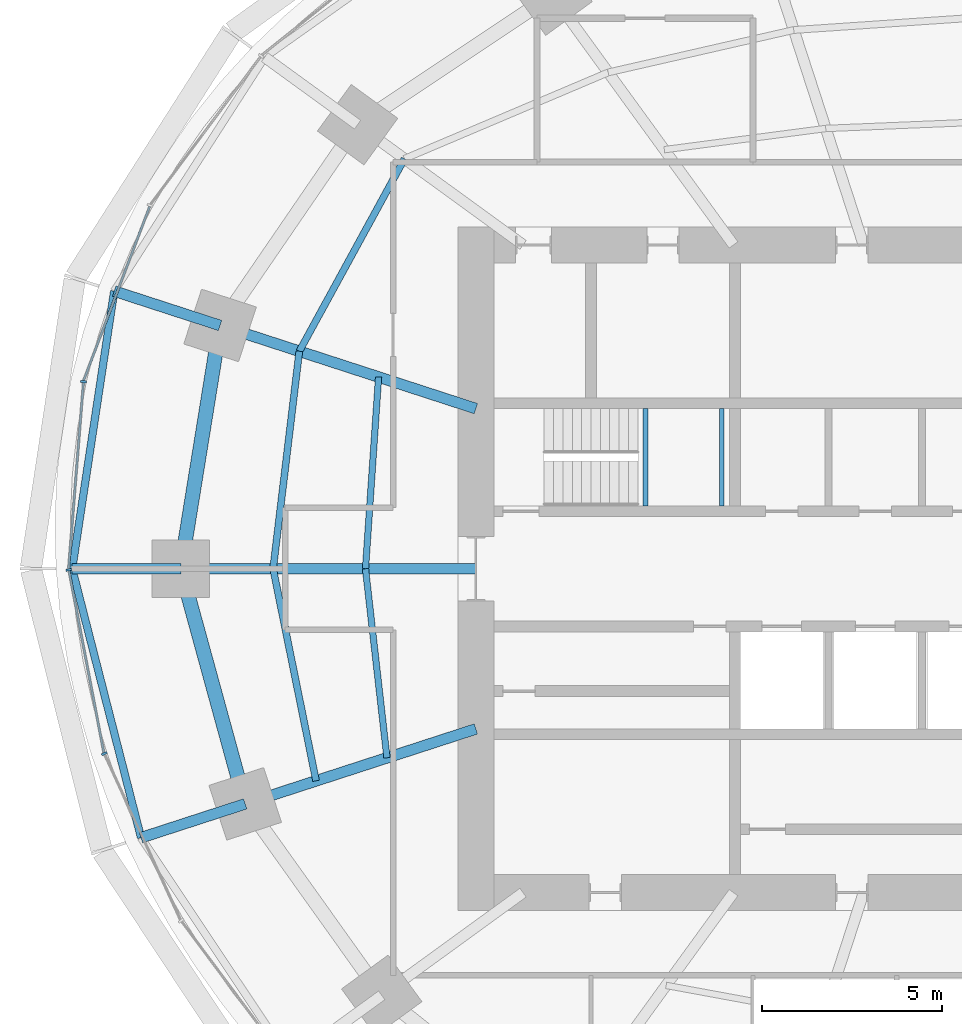
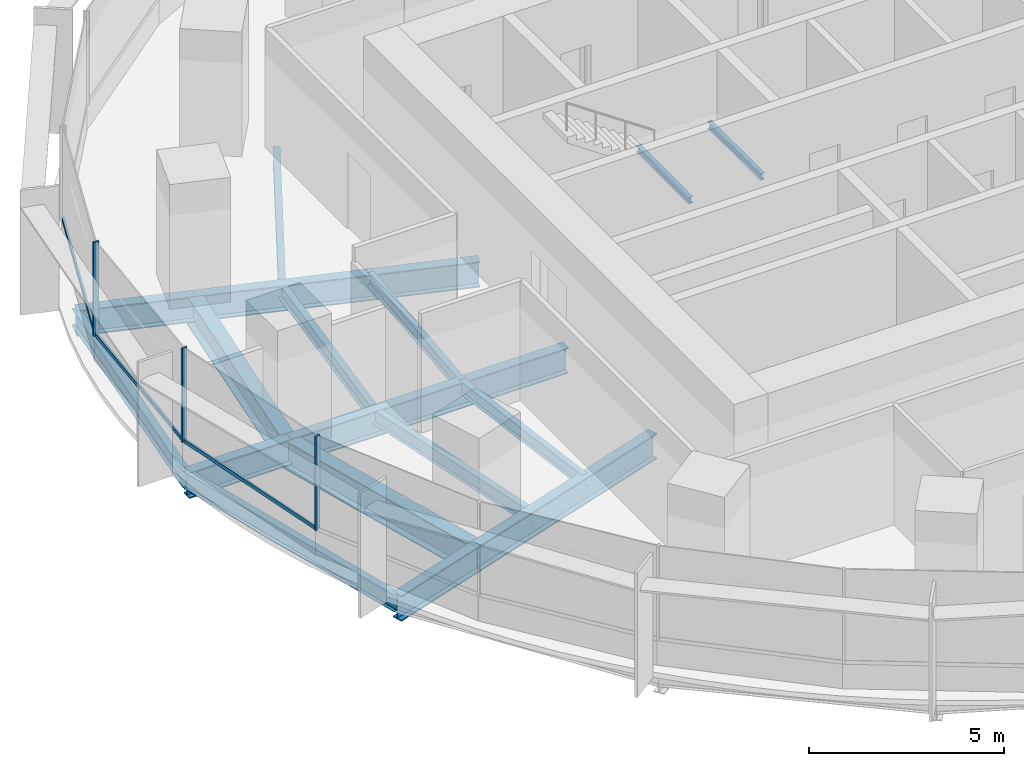
# One storey, part 4 of 14: 17 beams, 6 members, 2 elements without a shape of their own.
"""IFC4 building model written with IfcOpenShell, lengths in metres."""

from ifc_helpers import new_model, si_unit, direction, frame, origin, origin_2d, place, context, subcontext, project, spatial, rectangle, i_section, extrude, material, material_profile, profile_set, type_object, element, aggregate, save


model = new_model("IFC4")

# Units and contexts
model_context = context("Model", 3, precision=1e-05, world=origin(), true_north=direction((0.0, 1.0)))
body_context = subcontext(model_context, "Body", "Model", "MODEL_VIEW")
ifc_project = project(units=[si_unit("LENGTHUNIT", "METRE"), si_unit("AREAUNIT", "SQUARE_METRE"), si_unit("VOLUMEUNIT", "CUBIC_METRE"), si_unit("PLANEANGLEUNIT", "RADIAN"), si_unit("MASSUNIT", "GRAM", prefix="KILO")], contexts=[model_context])

# Site, building, storey
site_placement = place(None, origin())
site = spatial("IfcSite", under=ifc_project, at=site_placement, CompositionType="ELEMENT")
building_placement = place(site_placement, origin())
building = spatial("IfcBuilding", under=site, at=building_placement, Name="Marramba Exchange Tower", CompositionType="ELEMENT")
storey_placement = place(building_placement, frame((0.0, 0.0, 111.89990234375)))
storey = spatial("IfcBuildingStorey", under=building, at=storey_placement, Name="L26", CompositionType="ELEMENT", Elevation=111.89990234375)

# Beams
ifc_material_1 = material(Name="Steel AS/NZS 3679.2 grade 300", Category="steel")
ifc_material_profile_1 = material_profile(ifc_material_1, i_section(OverallWidth=0.300048828125, OverallDepth=0.800048828125, WebThickness=0.013916015625, FlangeThickness=0.031982421875, at=origin_2d()), Name="800WB192")
ifc_profile_set_1 = profile_set([ifc_material_profile_1], Name="Steel AS/NZS 3679.2 grade 300")
beam_type_1 = type_object("IfcBeamType", Name="Cantilever girder 800WB192", PredefinedType="BEAM", material=ifc_profile_set_1)
beam_1_placement = place(storey_placement, frame((-20.808349609375, 6.760986328125, -0.559814453125), z_axis=(-0.95104799017, 0.309043233858, 0.0), x_axis=(-0.309043233858, -0.95104799017, 0.0)))
element("IfcBeam", 1, at=beam_1_placement, inside=storey, type_object=beam_type_1, Name="Cantilever girder L26 TC10", PredefinedType="BEAM", context=body_context, shape_type="SweptSolid", body=[
    extrude(i_section(OverallWidth=0.300048828125, OverallDepth=0.800048828125, WebThickness=0.013916015625, FlangeThickness=0.031982421875, at=origin_2d()), origin(), (0.0, 0.0, 1.0), 3.0927734375),
])
beam_2_placement = place(storey_placement, frame((-21.89990234375, 0.0, -0.559814453125), z_axis=(-1.0, 0.0, 0.0), x_axis=(0.0, -1.0, 0.0)))
element("IfcBeam", 2, at=beam_2_placement, inside=storey, type_object=beam_type_1, Name="Cantilever girder L26 TC11", PredefinedType="BEAM", context=body_context, shape_type="SweptSolid", body=[
    extrude(i_section(OverallWidth=0.300048828125, OverallDepth=0.800048828125, WebThickness=0.013916015625, FlangeThickness=0.031982421875, at=origin_2d()), origin(), (0.0, 0.0, 1.0), 3.01806640625),
])
beam_3_placement = place(storey_placement, frame((-20.109375, -6.533935546875, -0.559814453125), z_axis=(-0.951070617775, -0.308973591113, 0.0), x_axis=(0.308973591113, -0.951070617775, 0.0)))
element("IfcBeam", 3, at=beam_3_placement, inside=storey, type_object=beam_type_1, Name="Cantilever girder L26 TC12", PredefinedType="BEAM", context=body_context, shape_type="SweptSolid", body=[
    extrude(i_section(OverallWidth=0.300048828125, OverallDepth=0.800048828125, WebThickness=0.013916015625, FlangeThickness=0.031982421875, at=origin_2d()), origin(), (0.0, 0.0, 1.0), 3.04296875),
])
ifc_material_2 = material(Name="Steel AS/NZS 3679.1 grade 300", Category="steel")
ifc_material_profile_2 = material_profile(ifc_material_2, i_section(OverallWidth=0.177978515625, OverallDepth=0.406005859375, WebThickness=0.0078125, FlangeThickness=0.0126953125, FilletRadius=0.011474609375, at=origin_2d()), Name="410UB59.7")
ifc_profile_set_2 = profile_set([ifc_material_profile_2], Name="Steel AS/NZS 3679.1 grade 300")
beam_type_2 = type_object("IfcBeamType", Name="Floor joist 410UB59.7", PredefinedType="JOIST", material=ifc_profile_set_2)
beam_4_placement = place(storey_placement, frame((-16.40283203125, 5.32958984375, -0.36279296875), z_axis=(-0.068096259546, -0.99767875563, 0.0), x_axis=(0.99767875563, -0.068096259546, 0.0)))
element("IfcBeam", 4, at=beam_4_placement, inside=storey, type_object=beam_type_2, Name="Joist L26 bay 10 row 1", PredefinedType="JOIST", context=body_context, shape_type="SweptSolid", body=[
    extrude(i_section(OverallWidth=0.177978515625, OverallDepth=0.406005859375, WebThickness=0.0078125, FlangeThickness=0.0126953125, FilletRadius=0.011474609375, at=origin_2d()), origin(), (0.0, 0.0, 1.0), 5.342041015625),
])
beam_5_placement = place(storey_placement, frame((-16.7666015625, 0.0, -0.36279296875), z_axis=(0.112888968594, -0.993607609054, 0.0), x_axis=(0.993607609054, 0.112888968594, 0.0)))
element("IfcBeam", 5, at=beam_5_placement, inside=storey, type_object=beam_type_2, Name="Joist L26 bay 11 row 1", PredefinedType="JOIST", context=body_context, shape_type="SweptSolid", body=[
    extrude(i_section(OverallWidth=0.177978515625, OverallDepth=0.406005859375, WebThickness=0.0078125, FlangeThickness=0.0126953125, FilletRadius=0.011474609375, at=origin_2d()), origin(), (0.0, 0.0, 1.0), 5.28759765625),
])
ifc_material_profile_3 = material_profile(ifc_material_2, i_section(OverallWidth=0.18994140625, OverallDepth=0.4541015625, WebThickness=0.008544921875, FlangeThickness=0.0126953125, FilletRadius=0.011474609375, at=origin_2d()), Name="460UB67.1")
ifc_profile_set_3 = profile_set([ifc_material_profile_3], Name="Steel AS/NZS 3679.1 grade 300")
beam_type_3 = type_object("IfcBeamType", Name="Floor joist 460UB67.1", PredefinedType="JOIST", material=ifc_profile_set_3)
beam_6_placement = place(storey_placement, frame((-15.682373046875, 11.393798828125, -0.386962890625), z_axis=(-0.479584443791, -0.877495732909, 0.0), x_axis=(0.877495732909, -0.479584443791, 0.0)))
element("IfcBeam", 6, at=beam_6_placement, inside=storey, type_object=beam_type_3, Name="Joist L26 bay 09 row 2", PredefinedType="JOIST", context=body_context, shape_type="SweptSolid", body=[
    extrude(i_section(OverallWidth=0.18994140625, OverallDepth=0.4541015625, WebThickness=0.008544921875, FlangeThickness=0.0126953125, FilletRadius=0.011474609375, at=origin_2d()), origin(), (0.0, 0.0, 1.0), 6.094970703125),
])
beam_7_placement = place(storey_placement, frame((-18.60546875, 6.04541015625, -0.386962890625), z_axis=(-0.119523078538, -0.992831422597, 0.0), x_axis=(0.992831422597, -0.119523078538, 0.0)))
element("IfcBeam", 7, at=beam_7_placement, inside=storey, type_object=beam_type_3, Name="Joist L26 bay 10 row 2", PredefinedType="JOIST", context=body_context, shape_type="SweptSolid", body=[
    extrude(i_section(OverallWidth=0.18994140625, OverallDepth=0.4541015625, WebThickness=0.008544921875, FlangeThickness=0.0126953125, FilletRadius=0.011474609375, at=origin_2d()), origin(), (0.0, 0.0, 1.0), 6.089111328125),
])
beam_8_placement = place(storey_placement, frame((-19.333251953125, 0.0, -0.386962890625), z_axis=(0.198489047047, -0.980103105904, 0.0), x_axis=(0.980103105904, 0.198489047047, 0.0)))
element("IfcBeam", 8, at=beam_8_placement, inside=storey, type_object=beam_type_3, Name="Joist L26 bay 11 row 2", PredefinedType="JOIST", context=body_context, shape_type="SweptSolid", body=[
    extrude(i_section(OverallWidth=0.18994140625, OverallDepth=0.4541015625, WebThickness=0.008544921875, FlangeThickness=0.0126953125, FilletRadius=0.011474609375, at=origin_2d()), origin(), (0.0, 0.0, 1.0), 6.013427734375),
])

# Curtain wall, member
ifc_material_3 = material(Name="Aluminium framing, bronze anodised", Category="aluminium")
curtain_wall_type = type_object("IfcCurtainWallType", Name="Office ribbon curtain wall", PredefinedType="USERDEFINED", material=ifc_material_3)
curtain_wall_1_placement = place(storey_placement, origin())
curtain_wall_1 = element("IfcCurtainWall", 9, at=curtain_wall_1_placement, inside=storey, type_object=curtain_wall_type, Name="Curtain wall CW4 L26 F11-F15", ObjectType="RIBBON CURTAIN WALL", PredefinedType="USERDEFINED")
ifc_material_4 = material(Name="Aluminium mullion, bronze anodised", Category="aluminium")
ifc_material_profile_4 = material_profile(ifc_material_4, rectangle(XDim=0.159912109375, YDim=0.06005859375, at=origin_2d()), Name="CW4 mullion 60x160")
ifc_profile_set_4 = profile_set([ifc_material_profile_4], Name="Aluminium mullion, bronze anodised")
member_type_1 = type_object("IfcMemberType", Name="Office ribbon curtain wall mullion", PredefinedType="MULLION", material=ifc_profile_set_4)
member_1_placement = place(storey_placement, frame((-24.603515625, 5.19921875, 0.800048828125), z_axis=(0.0, 0.0, 1.0), x_axis=(0.996838079455, -0.079459696383, 0.0)))
member_1 = element("IfcMember", 10, at=member_1_placement, type_object=member_type_1, Name="CW4 mullion 1", PredefinedType="MULLION", context=body_context, shape_type="SweptSolid", body=[
    extrude(rectangle(XDim=0.159912109375, YDim=0.06005859375, at=origin_2d()), origin(), (0.0, 0.0, 1.0), 2.93994140625),
])

# Curtain wall, members
curtain_wall_2_placement = place(storey_placement, origin())
curtain_wall_2 = element("IfcCurtainWall", 11, at=curtain_wall_2_placement, inside=storey, type_object=curtain_wall_type, Name="Curtain wall CW4 L26 F16-F20", ObjectType="RIBBON CURTAIN WALL", PredefinedType="USERDEFINED")
member_2_placement = place(storey_placement, frame((-25.012451171875, -0.029541015625, 0.800048828125), z_axis=(0.0, 0.0, 1.0), x_axis=(0.982125509078, 0.18822721487, 0.0)))
member_2 = element("IfcMember", 12, at=member_2_placement, type_object=member_type_1, Name="CW4 mullion 1", PredefinedType="MULLION", context=body_context, shape_type="SweptSolid", body=[
    extrude(rectangle(XDim=0.159912109375, YDim=0.06005859375, at=origin_2d()), origin(), (0.0, 0.0, 1.0), 2.93994140625),
])
member_3_placement = place(storey_placement, frame((-24.026123046875, -5.136962890625, 0.800048828125), z_axis=(0.0, 0.0, 1.0), x_axis=(0.909026713177, 0.416737848929, 0.0)))
member_3 = element("IfcMember", 13, at=member_3_placement, type_object=member_type_1, Name="CW4 mullion 1", PredefinedType="MULLION", context=body_context, shape_type="SweptSolid", body=[
    extrude(rectangle(XDim=0.159912109375, YDim=0.06005859375, at=origin_2d()), origin(), (0.0, 0.0, 1.0), 2.93994140625),
])

# Member
ifc_material_5 = material(Name="Aluminium transom, bronze anodised", Category="aluminium")
ifc_material_profile_5 = material_profile(ifc_material_5, rectangle(XDim=0.06005859375, YDim=0.1201171875, at=origin_2d()), Name="CW4 transom 60x120")
ifc_profile_set_5 = profile_set([ifc_material_profile_5], Name="Aluminium transom, bronze anodised")
member_type_2 = type_object("IfcMemberType", Name="Office ribbon curtain wall transom", PredefinedType="USERDEFINED", material=ifc_profile_set_5)
member_4_placement = place(storey_placement, frame((-22.763916015625, 10.069580078125, 0.830078125), z_axis=(-0.354851822252, -0.934922555212, 0.0), x_axis=(0.934922555212, -0.354851822252, 0.0)))
member_4 = element("IfcMember", 14, at=member_4_placement, type_object=member_type_2, Name="CW4 sill transom", ObjectType="TRANSOM", PredefinedType="USERDEFINED", context=body_context, shape_type="SweptSolid", body=[
    extrude(rectangle(XDim=0.06005859375, YDim=0.1201171875, at=origin_2d()), origin(), (0.0, 0.0, 1.0), 5.17724609375),
])

member_5_placement = place(storey_placement, frame((-24.60595703125, 5.16943359375, 0.830078125), z_axis=(-0.07946828762, -0.996837394595, 0.0), x_axis=(0.996837394595, -0.07946828762, 0.0)))
member_5 = element("IfcMember", 15, at=member_5_placement, type_object=member_type_2, Name="CW4 sill transom", ObjectType="TRANSOM", PredefinedType="USERDEFINED", context=body_context, shape_type="SweptSolid", body=[
    extrude(rectangle(XDim=0.06005859375, YDim=0.1201171875, at=origin_2d()), origin(), (0.0, 0.0, 1.0), 5.185791015625),
])

aggregate(curtain_wall_1, [member_4, member_1, member_5])

member_6_placement = place(storey_placement, frame((-25.006591796875, -0.058837890625, 0.830078125), z_axis=(0.188185293992, -0.982133542409, 0.0), x_axis=(0.982133542409, 0.188185293992, 0.0)))
member_6 = element("IfcMember", 16, at=member_6_placement, type_object=member_type_2, Name="CW4 sill transom", ObjectType="TRANSOM", PredefinedType="USERDEFINED", context=body_context, shape_type="SweptSolid", body=[
    extrude(rectangle(XDim=0.06005859375, YDim=0.1201171875, at=origin_2d()), origin(), (0.0, 0.0, 1.0), 5.142578125),
])

aggregate(curtain_wall_2, [member_2, member_6, member_3])

# Beams
ifc_material_profile_6 = material_profile(ifc_material_1, i_section(OverallWidth=0.300048828125, OverallDepth=0.800048828125, WebThickness=0.013916015625, FlangeThickness=0.031982421875, at=origin_2d()), Name="800WB192")
ifc_profile_set_6 = profile_set([ifc_material_profile_6], Name="Steel AS/NZS 3679.2 grade 300")
beam_type_4 = type_object("IfcBeamType", Name="Radial girder 800WB192", PredefinedType="BEAM", material=ifc_profile_set_6)
beam_9_placement = place(storey_placement, frame((-13.699951171875, 4.451416015625, -0.559814453125), z_axis=(-0.951059990189, 0.309006302624, 0.0), x_axis=(-0.309006302624, -0.951059990189, 0.0)))
element("IfcBeam", 17, at=beam_9_placement, inside=storey, type_object=beam_type_4, Name="Radial girder L26 TC10", PredefinedType="BEAM", context=body_context, shape_type="SweptSolid", body=[
    extrude(i_section(OverallWidth=0.300048828125, OverallDepth=0.800048828125, WebThickness=0.013916015625, FlangeThickness=0.031982421875, at=origin_2d()), origin(), (0.0, 0.0, 1.0), 7.47412109375),
])
beam_10_placement = place(storey_placement, frame((-13.699951171875, 0.0, -0.559814453125), z_axis=(-1.0, 0.0, 0.0), x_axis=(0.0, -1.0, 0.0)))
element("IfcBeam", 18, at=beam_10_placement, inside=storey, type_object=beam_type_4, Name="Radial girder L26 TC11", PredefinedType="BEAM", context=body_context, shape_type="SweptSolid", body=[
    extrude(i_section(OverallWidth=0.300048828125, OverallDepth=0.800048828125, WebThickness=0.013916015625, FlangeThickness=0.031982421875, at=origin_2d()), origin(), (0.0, 0.0, 1.0), 8.199951171875),
])
beam_11_placement = place(storey_placement, frame((-13.699951171875, -4.451416015625, -0.559814453125), z_axis=(-0.951057759669, -0.309013167637, 0.0), x_axis=(0.309013167637, -0.951057759669, 0.0)))
element("IfcBeam", 19, at=beam_11_placement, inside=storey, type_object=beam_type_4, Name="Radial girder L26 TC12", PredefinedType="BEAM", context=body_context, shape_type="SweptSolid", body=[
    extrude(i_section(OverallWidth=0.300048828125, OverallDepth=0.800048828125, WebThickness=0.013916015625, FlangeThickness=0.031982421875, at=origin_2d()), origin(), (0.0, 0.0, 1.0), 6.7392578125),
])
ifc_material_profile_7 = material_profile(ifc_material_1, i_section(OverallWidth=0.39990234375, OverallDepth=0.89990234375, WebThickness=0.01611328125, FlangeThickness=0.031982421875, at=origin_2d()), Name="900WB282")
ifc_profile_set_7 = profile_set([ifc_material_profile_7], Name="Steel AS/NZS 3679.2 grade 300")
beam_type_5 = type_object("IfcBeamType", Name="Ring beam 900WB282", PredefinedType="SPANDREL", material=ifc_profile_set_7)
beam_12_placement = place(storey_placement, frame((-20.808349609375, 6.760986328125, -0.60986328125), z_axis=(-0.159384865399, -0.987216523708, 0.0), x_axis=(0.987216523708, -0.159384865399, 0.0)))
element("IfcBeam", 20, at=beam_12_placement, inside=storey, type_object=beam_type_5, Name="Ring beam L26 TC10-TC11", PredefinedType="SPANDREL", context=body_context, shape_type="SweptSolid", body=[
    extrude(i_section(OverallWidth=0.39990234375, OverallDepth=0.89990234375, WebThickness=0.01611328125, FlangeThickness=0.031982421875, at=origin_2d()), origin(), (0.0, 0.0, 1.0), 6.8486328125),
])
beam_13_placement = place(storey_placement, frame((-21.89990234375, 0.0, -0.60986328125), z_axis=(0.264291166956, -0.964442937176, 0.0), x_axis=(0.964442937176, 0.264291166956, 0.0)))
element("IfcBeam", 21, at=beam_13_placement, inside=storey, type_object=beam_type_5, Name="Ring beam L26 TC11-TC12", PredefinedType="SPANDREL", context=body_context, shape_type="SweptSolid", body=[
    extrude(i_section(OverallWidth=0.39990234375, OverallDepth=0.89990234375, WebThickness=0.01611328125, FlangeThickness=0.031982421875, at=origin_2d()), origin(), (0.0, 0.0, 1.0), 6.77490234375),
])
ifc_material_profile_8 = material_profile(ifc_material_2, i_section(OverallWidth=0.208984375, OverallDepth=0.528076171875, WebThickness=0.009521484375, FlangeThickness=0.01318359375, FilletRadius=0.013916015625, at=origin_2d()), Name="530UB82.0")
ifc_profile_set_8 = profile_set([ifc_material_profile_8], Name="Steel AS/NZS 3679.1 grade 300")
beam_type_6 = type_object("IfcBeamType", Name="Slab edge beam 530UB82.0", PredefinedType="SPANDREL", material=ifc_profile_set_8)
beam_14_placement = place(storey_placement, frame((-23.749755859375, 7.716796875, -0.423828125), z_axis=(-0.149680281727, -0.988734450326, 0.0), x_axis=(0.988734450326, -0.149680281727, 0.0)))
element("IfcBeam", 22, at=beam_14_placement, inside=storey, type_object=beam_type_6, Name="Slab edge beam L26 TC10-TC11", PredefinedType="SPANDREL", context=body_context, shape_type="SweptSolid", body=[
    extrude(i_section(OverallWidth=0.208984375, OverallDepth=0.528076171875, WebThickness=0.009521484375, FlangeThickness=0.01318359375, FilletRadius=0.013916015625, at=origin_2d()), origin(), (0.0, 0.0, 1.0), 7.8046875),
])
beam_15_placement = place(storey_placement, frame((-24.91796875, 0.0, -0.423828125), z_axis=(0.248145427917, -0.968722791413, 0.0), x_axis=(0.968722791413, 0.248145427917, 0.0)))
element("IfcBeam", 23, at=beam_15_placement, inside=storey, type_object=beam_type_6, Name="Slab edge beam L26 TC11-TC12", PredefinedType="SPANDREL", context=body_context, shape_type="SweptSolid", body=[
    extrude(i_section(OverallWidth=0.208984375, OverallDepth=0.528076171875, WebThickness=0.009521484375, FlangeThickness=0.01318359375, FilletRadius=0.013916015625, at=origin_2d()), origin(), (0.0, 0.0, 1.0), 7.71533203125),
])
ifc_material_profile_9 = material_profile(ifc_material_2, i_section(OverallWidth=0.133056640625, OverallDepth=0.202880859375, WebThickness=0.005859375, FlangeThickness=0.0078125, FilletRadius=0.0087890625, at=origin_2d()), Name="200UB25.4")
ifc_profile_set_9 = profile_set([ifc_material_profile_9], Name="Steel AS/NZS 3679.1 grade 300")
beam_type_7 = type_object("IfcBeamType", Name="Stair landing beam 200UB25.4", PredefinedType="BEAM", material=ifc_profile_set_9)
for number, where, z_axis, x_axis, name in (
    (24, (-8.9833984375, 1.75, 1.648681640625), (0.0, 1.0, 0.0), (-1.0, 0.0, 0.0), "Stair landing beam SLB1 ST1 L26 1"),
    (25, (-6.866455078125, 1.75, 1.648681640625), (0.0, 1.0, 0.0), (-1.0, 0.0, 0.0), "Stair landing beam SLB1 ST1 L26 2"),
):
    element("IfcBeam", number, at=place(storey_placement, frame(where, z_axis=z_axis, x_axis=x_axis)), inside=storey, type_object=beam_type_7, Name=name, PredefinedType="BEAM", context=body_context, shape_type="SweptSolid", body=[
        extrude(i_section(OverallWidth=0.133056640625, OverallDepth=0.202880859375, WebThickness=0.005859375, FlangeThickness=0.0078125, FilletRadius=0.0087890625, at=origin_2d()), origin(), (0.0, 0.0, 1.0), 2.699951171875),
    ])

save(model, "model.ifc")
